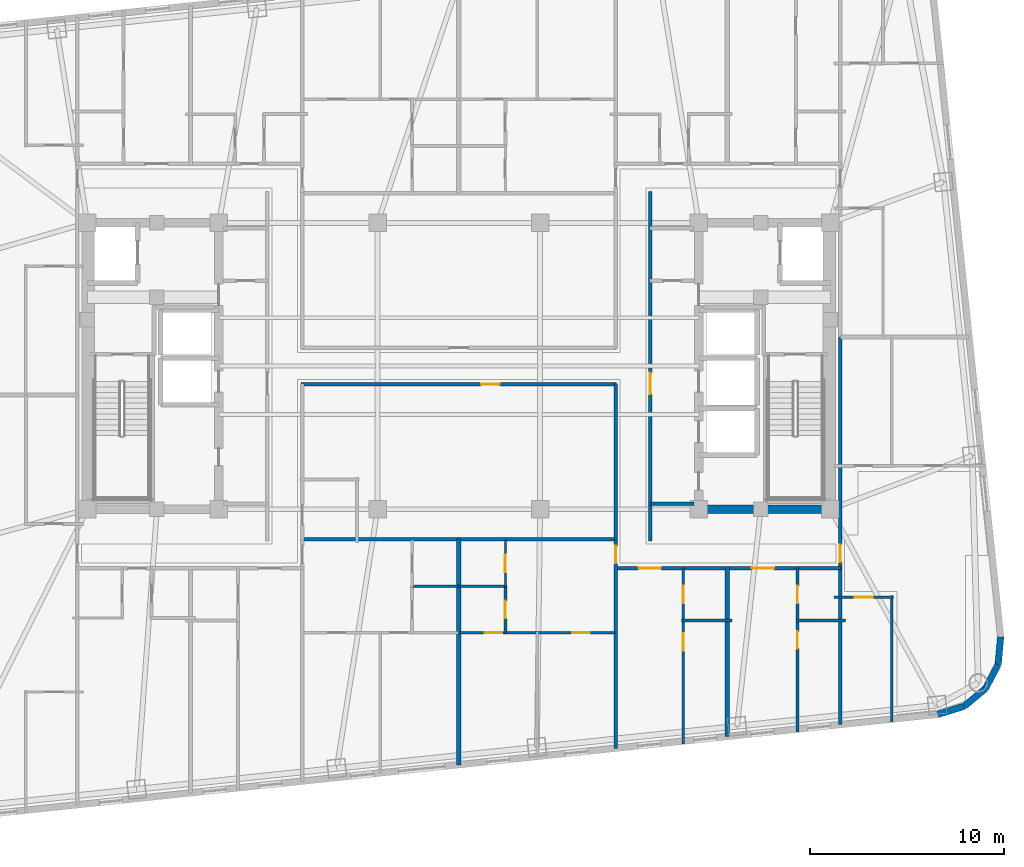
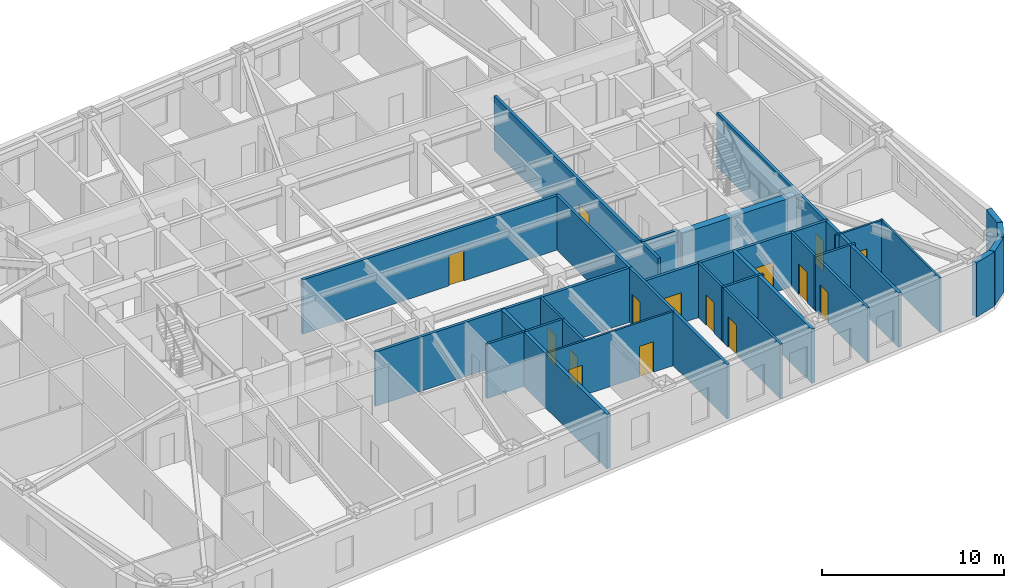
# One storey, part 5 of 12: 28 walls, 15 doors, 15 openings.
"""IFC4 building model written with IfcOpenShell, lengths in metres."""

from ifc_helpers import new_model, si_unit, direction, frame, frame_2d, origin, place, context, subcontext, project, spatial, rectangle, extrude, material, layer, layer_set, type_object, element, fill, save


model = new_model("IFC4")

# Units and contexts
model_context = context("Model", 3, precision=1e-05, world=origin(), true_north=direction((0.0, 1.0)))
body_context = subcontext(model_context, "Body", "Model", "MODEL_VIEW")
ifc_project = project(units=[si_unit("LENGTHUNIT", "METRE"), si_unit("AREAUNIT", "SQUARE_METRE"), si_unit("VOLUMEUNIT", "CUBIC_METRE"), si_unit("PLANEANGLEUNIT", "RADIAN"), si_unit("MASSUNIT", "GRAM", prefix="KILO")], contexts=[model_context])

# Site, building, storey
site_placement = place(None, origin())
site = spatial("IfcSite", under=ifc_project, at=site_placement, CompositionType="ELEMENT")
building_placement = place(site_placement, origin())
building = spatial("IfcBuilding", under=site, at=building_placement, Name="Voryun Gate Residences", CompositionType="ELEMENT")
storey_placement = place(building_placement, frame((0.0, 0.0, 159.89990234375)))
storey = spatial("IfcBuildingStorey", under=building, at=storey_placement, Name="L39", CompositionType="ELEMENT", Elevation=159.89990234375)

# Walls
ifc_material_1 = material(Name="Concrete C50/60", Category="concrete")
ifc_layer_1 = layer(ifc_material_1, 0.449951171875, Name="CW_CORE_450")
ifc_layer_set_1 = layer_set([ifc_layer_1], Name="Concrete C50/60")
wall_type_1 = type_object("IfcWallType", Name="CW_CORE_450", PredefinedType="SHEAR", material=ifc_layer_set_1)
wall_1_placement = place(storey_placement, frame((12.175048828125, -7.39990234375, 0.0), z_axis=(0.0, 0.0, 1.0), x_axis=(1.0, 0.0, 0.0)))
element("IfcWall", 1, at=wall_1_placement, inside=storey, type_object=wall_type_1, Name="L39 Core shear wall CW-L39-ES", PredefinedType="SHEAR", context=body_context, shape_type="SweptSolid", body=[
    extrude(rectangle(XDim=7.25, YDim=0.449951171875, at=frame_2d((3.625, 0.0))), origin(), (0.0, 0.0, 1.0), 3.650146484375),
])
ifc_material_2 = material(Name="Gypsum acoustic fireboard")
ifc_layer_2 = layer(ifc_material_2, 0.179931640625, Name="W_CORR_RATED_180")
ifc_layer_set_2 = layer_set([ifc_layer_2], Name="Gypsum acoustic fireboard")
wall_type_2 = type_object("IfcWallType", Name="W_CORR_RATED_180", PredefinedType="PARTITIONING", material=ifc_layer_set_2)
wall_2_placement = place(storey_placement, frame((9.8798828125, -7.1201171875, 0.0), z_axis=(0.0, 0.0, 1.0), x_axis=(1.0, 0.0, 0.0)))
element("IfcWall", 2, at=wall_2_placement, inside=storey, type_object=wall_type_2, Name="Partition wall WP-L39-PLBS-E", PredefinedType="PARTITIONING", context=body_context, shape_type="SweptSolid", body=[
    extrude(rectangle(XDim=2.27001953125, YDim=0.179931640625, at=frame_2d((1.135009765625, 0.0))), origin(), (0.0, 0.0, 1.0), 3.650146484375),
])

# Wall, opening, door
wall_3_placement = place(storey_placement, frame((9.89990234375, -9.030029296875, 0.0), z_axis=(0.0, 0.0, 1.0), x_axis=(0.0, 1.0, 0.0)))
wall_3 = element("IfcWall", 3, at=wall_3_placement, inside=storey, type_object=wall_type_2, Name="Partition wall WP-L39-PLBE-FULL", PredefinedType="PARTITIONING", context=body_context, shape_type="SweptSolid", body=[
    extrude(rectangle(XDim=18.06005859375, YDim=0.179931640625, at=frame_2d((9.030029296875, 0.0))), origin(), (0.0, 0.0, 1.0), 3.650146484375),
])
opening_1_placement = place(wall_3_placement, frame((7.576904296875, 0.0, 0.0)))
opening_1 = element("IfcOpeningElement", 4, at=opening_1_placement, cuts=wall_3, Name="Opening D-FD60-2", PredefinedType="OPENING", context=body_context, shape_type="SweptSolid", body=[
    extrude(rectangle(XDim=1.10009765625, YDim=2.050048828125, at=frame_2d((0.550048828125, 1.02490234375))), frame((0.0, 0.099853515625, 0.0), z_axis=(0.0, -1.0, 0.0), x_axis=(1.0, 0.0, 0.0)), (0.0, 0.0, 1.0), 0.199951171875),
])
ifc_material_3 = material(Name="Painted steel fire door", Category="steel")
door_type_1 = type_object("IfcDoorType", Name="DR_FD60_FFLOB_1100", OperationType="NOTDEFINED", PredefinedType="DOOR", material=ifc_material_3)
door_1_placement = place(opening_1_placement, origin())
door_1 = element("IfcDoor", 5, at=door_1_placement, inside=storey, type_object=door_type_1, Name="Door DR-L39-PLBE-COR", OperationType="SINGLE_SWING_RIGHT", OverallHeight=2.050048828125, OverallWidth=1.10009765625, PredefinedType="DOOR", context=body_context, shape_type="SweptSolid", body=[
    extrude(rectangle(XDim=1.10009765625, YDim=2.050048828125, at=frame_2d((0.550048828125, 1.02490234375))), frame((0.0, 0.02490234375, 0.0), z_axis=(0.0, -1.0, 0.0), x_axis=(1.0, 0.0, 0.0)), (0.0, 0.0, 1.0), 0.050048828125),
])
fill(opening_1, door_1)

# Wall
wall_4_placement = place(storey_placement, frame((-8.14990234375, -8.93994140625, 0.0), z_axis=(0.0, 0.0, 1.0), x_axis=(1.0, 0.0, 0.0)))
element("IfcWall", 6, at=wall_4_placement, inside=storey, type_object=wall_type_2, Name="Partition wall WP-L39-Z2S", PredefinedType="PARTITIONING", context=body_context, shape_type="SweptSolid", body=[
    extrude(rectangle(XDim=16.2998046875, YDim=0.179931640625, at=frame_2d((8.14990234375, 0.0))), origin(), (0.0, 0.0, 1.0), 3.650146484375),
])

# Wall, opening, door
wall_5_placement = place(storey_placement, frame((-8.14990234375, -0.93994140625, 0.0), z_axis=(0.0, 0.0, 1.0), x_axis=(1.0, 0.0, 0.0)))
wall_5 = element("IfcWall", 7, at=wall_5_placement, inside=storey, type_object=wall_type_2, Name="Partition wall WP-L39-Z2HS", PredefinedType="PARTITIONING", context=body_context, shape_type="SweptSolid", body=[
    extrude(rectangle(XDim=16.2998046875, YDim=0.179931640625, at=frame_2d((8.14990234375, 0.0))), origin(), (0.0, 0.0, 1.0), 3.650146484375),
])
opening_2_placement = place(wall_5_placement, frame((9.304931640625, 0.0, 0.0)))
opening_2 = element("IfcOpeningElement", 8, at=opening_2_placement, cuts=wall_5, Name="Opening D-INT-1", PredefinedType="OPENING", context=body_context, shape_type="SweptSolid", body=[
    extrude(rectangle(XDim=0.949951171875, YDim=2.050048828125, at=frame_2d((0.47509765625, 1.02490234375))), frame((0.0, 0.099853515625, 0.0), z_axis=(0.0, -1.0, 0.0), x_axis=(1.0, 0.0, 0.0)), (0.0, 0.0, 1.0), 0.199951171875),
])
ifc_material_4 = material(Name="Architectural oak veneer")
door_type_2 = type_object("IfcDoorType", Name="DR_INT_ROOM_950", OperationType="NOTDEFINED", PredefinedType="DOOR", material=ifc_material_4)
door_2_placement = place(opening_2_placement, origin())
door_2 = element("IfcDoor", 9, at=door_2_placement, inside=storey, type_object=door_type_2, Name="Door DR-L39-Z2SH", OperationType="SINGLE_SWING_RIGHT", OverallHeight=2.050048828125, OverallWidth=0.949951171875, PredefinedType="DOOR", context=body_context, shape_type="SweptSolid", body=[
    extrude(rectangle(XDim=0.949951171875, YDim=2.050048828125, at=frame_2d((0.47509765625, 1.02490234375))), frame((0.0, 0.02490234375, 0.0), z_axis=(0.0, -1.0, 0.0), x_axis=(1.0, 0.0, 0.0)), (0.0, 0.0, 1.0), 0.050048828125),
])
fill(opening_2, door_2)

# Wall
wall_6_placement = place(storey_placement, frame((8.10009765625, -8.97998046875, 0.0), z_axis=(0.0, 0.0, 1.0), x_axis=(0.0, 1.0, 0.0)))
element("IfcWall", 10, at=wall_6_placement, inside=storey, type_object=wall_type_2, Name="Partition wall WP-L39-Z2ER2", PredefinedType="PARTITIONING", context=body_context, shape_type="SweptSolid", body=[
    extrude(rectangle(XDim=8.06005859375, YDim=0.179931640625, at=frame_2d((4.030029296875, 0.0))), origin(), (0.0, 0.0, 1.0), 3.650146484375),
])

# Wall, openings, doors
wall_7_placement = place(storey_placement, frame((8.080078125, -10.449951171875, 0.0), z_axis=(0.0, 0.0, 1.0), x_axis=(1.0, 0.0, 0.0)))
wall_7 = element("IfcWall", 11, at=wall_7_placement, inside=storey, type_object=wall_type_2, Name="Partition wall WP-L39-SCORR-E", PredefinedType="PARTITIONING", context=body_context, shape_type="SweptSolid", body=[
    extrude(rectangle(XDim=11.669921875, YDim=0.179931640625, at=frame_2d((5.8349609375, 0.0))), origin(), (0.0, 0.0, 1.0), 3.650146484375),
])
opening_3_placement = place(wall_7_placement, frame((1.212890625, 0.0, 0.0)))
opening_3 = element("IfcOpeningElement", 12, at=opening_3_placement, cuts=wall_7, Name="Opening D-UNIT-1", PredefinedType="OPENING", context=body_context, shape_type="SweptSolid", body=[
    extrude(rectangle(XDim=1.14990234375, YDim=2.050048828125, at=frame_2d((0.574951171875, 1.02490234375))), frame((0.0, 0.099853515625, 0.0), z_axis=(0.0, -1.0, 0.0), x_axis=(1.0, 0.0, 0.0)), (0.0, 0.0, 1.0), 0.199951171875),
])
opening_4_placement = place(wall_7_placement, frame((7.05712890625, 0.0, 0.0)))
opening_4 = element("IfcOpeningElement", 13, at=opening_4_placement, cuts=wall_7, Name="Opening D-UNIT-1", PredefinedType="OPENING", context=body_context, shape_type="SweptSolid", body=[
    extrude(rectangle(XDim=1.14990234375, YDim=2.050048828125, at=frame_2d((0.574951171875, 1.02490234375))), frame((0.0, 0.099853515625, 0.0), z_axis=(0.0, -1.0, 0.0), x_axis=(1.0, 0.0, 0.0)), (0.0, 0.0, 1.0), 0.199951171875),
])
ifc_material_5 = material(Name="Armoured timber-clad fire door", Category="wood")
door_type_3 = type_object("IfcDoorType", Name="DR_UNIT_ENTRY_1150", OperationType="NOTDEFINED", PredefinedType="DOOR", material=ifc_material_5)
door_3_placement = place(opening_3_placement, origin())
door_3 = element("IfcDoor", 14, at=door_3_placement, inside=storey, type_object=door_type_3, Name="Door DR-L39-SENT-4", OperationType="SINGLE_SWING_LEFT", OverallHeight=2.050048828125, OverallWidth=1.14990234375, PredefinedType="DOOR", context=body_context, shape_type="SweptSolid", body=[
    extrude(rectangle(XDim=1.14990234375, YDim=2.050048828125, at=frame_2d((0.574951171875, 1.02490234375))), frame((0.0, 0.02490234375, 0.0), z_axis=(0.0, -1.0, 0.0), x_axis=(1.0, 0.0, 0.0)), (0.0, 0.0, 1.0), 0.050048828125),
])
fill(opening_3, door_3)
door_4_placement = place(opening_4_placement, origin())
door_4 = element("IfcDoor", 15, at=door_4_placement, inside=storey, type_object=door_type_3, Name="Door DR-L39-SENT-5", OperationType="SINGLE_SWING_RIGHT", OverallHeight=2.050048828125, OverallWidth=1.14990234375, PredefinedType="DOOR", context=body_context, shape_type="SweptSolid", body=[
    extrude(rectangle(XDim=1.14990234375, YDim=2.050048828125, at=frame_2d((0.574951171875, 1.02490234375))), frame((0.0, 0.02490234375, 0.0), z_axis=(0.0, -1.0, 0.0), x_axis=(1.0, 0.0, 0.0)), (0.0, 0.0, 1.0), 0.050048828125),
])
fill(opening_4, door_4)

# Wall, opening, door
wall_8_placement = place(storey_placement, frame((8.10009765625, -19.75390625, 0.0), z_axis=(0.0, 0.0, 1.0), x_axis=(0.0, 1.0, 0.0)))
wall_8 = element("IfcWall", 16, at=wall_8_placement, inside=storey, type_object=wall_type_2, Name="Partition wall WP-L39-SZV-2", PredefinedType="PARTITIONING", context=body_context, shape_type="SweptSolid", body=[
    extrude(rectangle(XDim=10.81396484375, YDim=0.179931640625, at=frame_2d((5.406982421875, 0.0))), origin(), (0.0, 0.0, 1.0), 3.650146484375),
])
opening_5_placement = place(wall_8_placement, frame((9.563720703125, 0.0, 0.0)))
opening_5 = element("IfcOpeningElement", 17, at=opening_5_placement, cuts=wall_8, Name="Opening D-INT-2", PredefinedType="OPENING", context=body_context, shape_type="SweptSolid", body=[
    extrude(rectangle(XDim=0.89990234375, YDim=2.050048828125, at=frame_2d((0.449951171875, 1.02490234375))), frame((0.0, 0.099853515625, 0.0), z_axis=(0.0, -1.0, 0.0), x_axis=(1.0, 0.0, 0.0)), (0.0, 0.0, 1.0), 0.199951171875),
])
ifc_material_6 = material(Name="Architectural oak veneer")
door_type_4 = type_object("IfcDoorType", Name="DR_INT_BATH_900", OperationType="NOTDEFINED", PredefinedType="DOOR", material=ifc_material_6)
door_5_placement = place(opening_5_placement, origin())
door_5 = element("IfcDoor", 18, at=door_5_placement, inside=storey, type_object=door_type_4, Name="Door DR-L39-SZENT-2", OperationType="SINGLE_SWING_RIGHT", OverallHeight=2.050048828125, OverallWidth=0.89990234375, PredefinedType="DOOR", context=body_context, shape_type="SweptSolid", body=[
    extrude(rectangle(XDim=0.89990234375, YDim=2.050048828125, at=frame_2d((0.449951171875, 1.02490234375))), frame((0.0, 0.02490234375, 0.0), z_axis=(0.0, -1.0, 0.0), x_axis=(1.0, 0.0, 0.0)), (0.0, 0.0, 1.0), 0.050048828125),
])
fill(opening_5, door_5)

wall_9_placement = place(storey_placement, frame((19.719970703125, -18.532470703125, 0.0), z_axis=(0.0, 0.0, 1.0), x_axis=(0.0, 1.0, 0.0)))
wall_9 = element("IfcWall", 19, at=wall_9_placement, inside=storey, type_object=wall_type_2, Name="Partition wall WP-L39-ECOR1", PredefinedType="PARTITIONING", context=body_context, shape_type="SweptSolid", body=[
    extrude(rectangle(XDim=20.032470703125, YDim=0.179931640625, at=frame_2d((10.01611328125, 0.0))), origin(), (0.0, 0.0, 1.0), 3.650146484375),
])
opening_6_placement = place(wall_9_placement, frame((8.40234375, 0.0, 0.0)))
opening_6 = element("IfcOpeningElement", 20, at=opening_6_placement, cuts=wall_9, Name="Opening D-INT-2", PredefinedType="OPENING", context=body_context, shape_type="SweptSolid", body=[
    extrude(rectangle(XDim=0.89990234375, YDim=2.050048828125, at=frame_2d((0.449951171875, 1.02490234375))), frame((0.0, 0.099853515625, 0.0), z_axis=(0.0, -1.0, 0.0), x_axis=(1.0, 0.0, 0.0)), (0.0, 0.0, 1.0), 0.199951171875),
])
door_6_placement = place(opening_6_placement, origin())
door_6 = element("IfcDoor", 21, at=door_6_placement, inside=storey, type_object=door_type_4, Name="Door DR-L39-EE1", OperationType="SINGLE_SWING_LEFT", OverallHeight=2.050048828125, OverallWidth=0.89990234375, PredefinedType="DOOR", context=body_context, shape_type="SweptSolid", body=[
    extrude(rectangle(XDim=0.89990234375, YDim=2.050048828125, at=frame_2d((0.449951171875, 1.02490234375))), frame((0.0, 0.02490234375, 0.0), z_axis=(0.0, -1.0, 0.0), x_axis=(1.0, 0.0, 0.0)), (0.0, 0.0, 1.0), 0.050048828125),
])
fill(opening_6, door_6)

# Walls
ifc_material_7 = material(Name="Charcoal terracotta masonry", Category="masonry")
ifc_layer_3 = layer(ifc_material_7, 0.340087890625, Name="W_EXT_TERRACOTTA_340")
ifc_layer_set_3 = layer_set([ifc_layer_3], Name="Charcoal terracotta masonry")
wall_type_3 = type_object("IfcWallType", Name="W_EXT_TERRACOTTA_340", PredefinedType="ELEMENTEDWALL", material=ifc_layer_set_3)
wall_10_placement = place(storey_placement, frame((28.001220703125, -13.9951171875, 0.0), z_axis=(0.0, 0.0, 1.0), x_axis=(-0.091534682358, -0.995801888894, 0.0)))
element("IfcWall", 22, at=wall_10_placement, inside=storey, type_object=wall_type_3, Name="Exterior wall WEXT-L39-17", PredefinedType="ELEMENTEDWALL", context=body_context, shape_type="SweptSolid", body=[
    extrude(rectangle(XDim=1.432373046875, YDim=0.340087890625, at=frame_2d((0.71630859375, 0.0))), origin(), (0.0, 0.0, 1.0), 3.650146484375),
])
for number, where, z_axis, x_axis, name in (
    (23, (27.8701171875, -15.42138671875, 0.0), (0.0, 0.0, 1.0), (-0.465682431293, -0.884951904447, 0.0), "Exterior wall WEXT-L39-18"),
    (24, (27.211181640625, -16.673583984375, 0.0), (0.0, 0.0, 1.0), (-0.768758372808, -0.639539337522, 0.0), "Exterior wall WEXT-L39-19"),
):
    element("IfcWall", number, at=place(storey_placement, frame(where, z_axis=z_axis, x_axis=x_axis)), inside=storey, type_object=wall_type_3, Name=name, PredefinedType="ELEMENTEDWALL", context=body_context, shape_type="SweptSolid", body=[
        extrude(rectangle(XDim=1.4150390625, YDim=0.340087890625, at=frame_2d((0.70751953125, 0.0))), origin(), (0.0, 0.0, 1.0), 3.650146484375),
    ])
wall_11_placement = place(storey_placement, frame((26.123291015625, -17.57861328125, 0.0), z_axis=(0.0, 0.0, 1.0), x_axis=(-0.955042500381, -0.296468923271, 0.0)))
element("IfcWall", 25, at=wall_11_placement, inside=storey, type_object=wall_type_3, Name="Exterior wall WEXT-L39-20", PredefinedType="ELEMENTEDWALL", context=body_context, shape_type="SweptSolid", body=[
    extrude(rectangle(XDim=1.43212890625, YDim=0.340087890625, at=frame_2d((0.716064453125, 0.0))), origin(), (0.0, 0.0, 1.0), 3.650146484375),
])
ifc_material_8 = material(Name="Concrete C40/50", Category="concrete")
ifc_layer_4 = layer(ifc_material_8, 0.219970703125, Name="W_PARTY_ACOUSTIC_220")
ifc_layer_set_4 = layer_set([ifc_layer_4], Name="Concrete C40/50")
wall_type_4 = type_object("IfcWallType", Name="W_PARTY_ACOUSTIC_220", PredefinedType="PARTITIONING", material=ifc_layer_set_4)
wall_12_placement = place(storey_placement, frame((13.864990234375, -19.147705078125, 0.0), z_axis=(0.0, 0.0, 1.0), x_axis=(0.0, 1.0, 0.0)))
element("IfcWall", 26, at=wall_12_placement, inside=storey, type_object=wall_type_4, Name="Partition wall WP-L39-SPTY-4", PredefinedType="PARTITIONING", context=body_context, shape_type="SweptSolid", body=[
    extrude(rectangle(XDim=8.777587890625, YDim=0.219970703125, at=frame_2d((4.388671875, 0.0))), origin(), (0.0, 0.0, 1.0), 3.650146484375),
])
wall_13_placement = place(storey_placement, frame((0.0, -20.60498046875, 0.0), z_axis=(0.0, 0.0, 1.0), x_axis=(0.0, 1.0, 0.0)))
element("IfcWall", 27, at=wall_13_placement, inside=storey, type_object=wall_type_4, Name="Partition wall WP-L39-SZMID", PredefinedType="PARTITIONING", context=body_context, shape_type="SweptSolid", body=[
    extrude(rectangle(XDim=11.6650390625, YDim=0.219970703125, at=frame_2d((5.83251953125, 0.0))), origin(), (0.0, 0.0, 1.0), 3.650146484375),
])

# Wall, openings, doors
ifc_material_9 = material(Name="Gypsum acoustic partition")
ifc_layer_5 = layer(ifc_material_9, 0.125, Name="W_UNIT_PART_125")
ifc_layer_set_5 = layer_set([ifc_layer_5], Name="Gypsum acoustic partition")
wall_type_5 = type_object("IfcWallType", Name="W_UNIT_PART_125", PredefinedType="PARTITIONING", material=ifc_layer_set_5)
wall_14_placement = place(storey_placement, frame((0.02001953125, -13.780029296875, 0.0), z_axis=(0.0, 0.0, 1.0), x_axis=(1.0, 0.0, 0.0)))
wall_14 = element("IfcWall", 28, at=wall_14_placement, inside=storey, type_object=wall_type_5, Name="Partition wall WP-L39-SC2-HZ", PredefinedType="PARTITIONING", context=body_context, shape_type="SweptSolid", body=[
    extrude(rectangle(XDim=8.06005859375, YDim=0.125, at=frame_2d((4.030029296875, 0.0))), origin(), (0.0, 0.0, 1.0), 3.650146484375),
])
opening_7_placement = place(wall_14_placement, frame((1.3232421875, 0.0, 0.0)))
opening_7 = element("IfcOpeningElement", 29, at=opening_7_placement, cuts=wall_14, Name="Opening D-INT-2", PredefinedType="OPENING", context=body_context, shape_type="SweptSolid", body=[
    extrude(rectangle(XDim=0.89990234375, YDim=2.050048828125, at=frame_2d((0.449951171875, 1.02490234375))), frame((0.0, 0.072509765625, 0.0), z_axis=(0.0, -1.0, 0.0), x_axis=(1.0, 0.0, 0.0)), (0.0, 0.0, 1.0), 0.14501953125),
])
opening_8_placement = place(wall_14_placement, frame((5.8369140625, 0.0, 0.0)))
opening_8 = element("IfcOpeningElement", 30, at=opening_8_placement, cuts=wall_14, Name="Opening D-INT-2", PredefinedType="OPENING", context=body_context, shape_type="SweptSolid", body=[
    extrude(rectangle(XDim=0.89990234375, YDim=2.050048828125, at=frame_2d((0.449951171875, 1.02490234375))), frame((0.0, 0.072509765625, 0.0), z_axis=(0.0, -1.0, 0.0), x_axis=(1.0, 0.0, 0.0)), (0.0, 0.0, 1.0), 0.14501953125),
])
door_7_placement = place(opening_7_placement, origin())
door_7 = element("IfcDoor", 31, at=door_7_placement, inside=storey, type_object=door_type_4, Name="Door DR-L39-SC2-DMB", OperationType="SINGLE_SWING_LEFT", OverallHeight=2.050048828125, OverallWidth=0.89990234375, PredefinedType="DOOR", context=body_context, shape_type="SweptSolid", body=[
    extrude(rectangle(XDim=0.89990234375, YDim=2.050048828125, at=frame_2d((0.449951171875, 1.02490234375))), frame((0.0, 0.02490234375, 0.0), z_axis=(0.0, -1.0, 0.0), x_axis=(1.0, 0.0, 0.0)), (0.0, 0.0, 1.0), 0.050048828125),
])
fill(opening_7, door_7)
door_8_placement = place(opening_8_placement, origin())
door_8 = element("IfcDoor", 32, at=door_8_placement, inside=storey, type_object=door_type_4, Name="Door DR-L39-SC2-DBD2", OperationType="SINGLE_SWING_RIGHT", OverallHeight=2.050048828125, OverallWidth=0.89990234375, PredefinedType="DOOR", context=body_context, shape_type="SweptSolid", body=[
    extrude(rectangle(XDim=0.89990234375, YDim=2.050048828125, at=frame_2d((0.449951171875, 1.02490234375))), frame((0.0, 0.02490234375, 0.0), z_axis=(0.0, -1.0, 0.0), x_axis=(1.0, 0.0, 0.0)), (0.0, 0.0, 1.0), 0.050048828125),
])
fill(opening_8, door_8)

# Wall, opening, door
wall_15_placement = place(storey_placement, frame((2.409912109375, -11.409912109375, 0.0), z_axis=(0.0, 0.0, 1.0), x_axis=(0.0, 1.0, 0.0)))
wall_15 = element("IfcWall", 33, at=wall_15_placement, inside=storey, type_object=wall_type_5, Name="Partition wall WP-L39-SC2-VK1", PredefinedType="PARTITIONING", context=body_context, shape_type="SweptSolid", body=[
    extrude(rectangle(XDim=2.409912109375, YDim=0.125, at=frame_2d((1.205078125, 0.0))), origin(), (0.0, 0.0, 1.0), 3.650146484375),
])
opening_9_placement = place(wall_15_placement, frame((0.7548828125, 0.0, 0.0)))
opening_9 = element("IfcOpeningElement", 34, at=opening_9_placement, cuts=wall_15, Name="Opening D-INT-2", PredefinedType="OPENING", context=body_context, shape_type="SweptSolid", body=[
    extrude(rectangle(XDim=0.89990234375, YDim=2.050048828125, at=frame_2d((0.449951171875, 1.02490234375))), frame((0.0, 0.072509765625, 0.0), z_axis=(0.0, -1.0, 0.0), x_axis=(1.0, 0.0, 0.0)), (0.0, 0.0, 1.0), 0.14501953125),
])
door_9_placement = place(opening_9_placement, origin())
door_9 = element("IfcDoor", 35, at=door_9_placement, inside=storey, type_object=door_type_4, Name="Door DR-L39-SC2-DK", OperationType="SINGLE_SWING_LEFT", OverallHeight=2.050048828125, OverallWidth=0.89990234375, PredefinedType="DOOR", context=body_context, shape_type="SweptSolid", body=[
    extrude(rectangle(XDim=0.89990234375, YDim=2.050048828125, at=frame_2d((0.449951171875, 1.02490234375))), frame((0.0, 0.02490234375, 0.0), z_axis=(0.0, -1.0, 0.0), x_axis=(1.0, 0.0, 0.0)), (0.0, 0.0, 1.0), 0.050048828125),
])
fill(opening_9, door_9)

wall_16_placement = place(storey_placement, frame((19.39990234375, -11.93896484375, 0.0), z_axis=(0.0, 0.0, 1.0), x_axis=(1.0, 0.0, 0.0)))
wall_16 = element("IfcWall", 36, at=wall_16_placement, inside=storey, type_object=wall_type_5, Name="Partition wall WP-L39-E1-IKA", PredefinedType="PARTITIONING", context=body_context, shape_type="SweptSolid", body=[
    extrude(rectangle(XDim=3.050048828125, YDim=0.125, at=frame_2d((1.52490234375, 0.0))), origin(), (0.0, 0.0, 1.0), 3.650146484375),
])
opening_10_placement = place(wall_16_placement, frame((1.050048828125, 0.0, 0.0)))
opening_10 = element("IfcOpeningElement", 37, at=opening_10_placement, cuts=wall_16, Name="Opening D-INT-1", PredefinedType="OPENING", context=body_context, shape_type="SweptSolid", body=[
    extrude(rectangle(XDim=0.949951171875, YDim=2.050048828125, at=frame_2d((0.47509765625, 1.02490234375))), frame((0.0, 0.072509765625, 0.0), z_axis=(0.0, -1.0, 0.0), x_axis=(1.0, 0.0, 0.0)), (0.0, 0.0, 1.0), 0.14501953125),
])
door_10_placement = place(opening_10_placement, origin())
door_10 = element("IfcDoor", 38, at=door_10_placement, inside=storey, type_object=door_type_2, Name="Door DR-L39-E1-DK", OperationType="SINGLE_SWING_LEFT", OverallHeight=2.050048828125, OverallWidth=0.949951171875, PredefinedType="DOOR", context=body_context, shape_type="SweptSolid", body=[
    extrude(rectangle(XDim=0.949951171875, YDim=2.050048828125, at=frame_2d((0.47509765625, 1.02490234375))), frame((0.0, 0.02490234375, 0.0), z_axis=(0.0, -1.0, 0.0), x_axis=(1.0, 0.0, 0.0)), (0.0, 0.0, 1.0), 0.050048828125),
])
fill(opening_10, door_10)

# Walls
wall_17_placement = place(storey_placement, frame((22.3701171875, -18.40478515625, 0.0), z_axis=(0.0, 0.0, 1.0), x_axis=(0.0, 1.0, 0.0)))
element("IfcWall", 39, at=wall_17_placement, inside=storey, type_object=wall_type_5, Name="Partition wall WP-L39-E1-VTA", PredefinedType="PARTITIONING", context=body_context, shape_type="SweptSolid", body=[
    extrude(rectangle(XDim=6.5458984375, YDim=0.125, at=frame_2d((3.27294921875, 0.0))), origin(), (0.0, 0.0, 1.0), 3.650146484375),
])
ifc_material_10 = material(Name="Gypsum moisture-resistant partition")
ifc_layer_6 = layer(ifc_material_10, 0.14990234375, Name="W_WET_PLUMB_150")
ifc_layer_set_6 = layer_set([ifc_layer_6], Name="Gypsum moisture-resistant partition")
wall_type_6 = type_object("IfcWallType", Name="W_WET_PLUMB_150", PredefinedType="PLUMBINGWALL", material=ifc_layer_set_6)
wall_18_placement = place(storey_placement, frame((11.51611328125, -13.14990234375, 0.0), z_axis=(0.0, 0.0, 1.0), x_axis=(1.0, 0.0, 0.0)))
element("IfcWall", 40, at=wall_18_placement, inside=storey, type_object=wall_type_6, Name="Partition wall WP-L39-S4-SKB", PredefinedType="PLUMBINGWALL", context=body_context, shape_type="SweptSolid", body=[
    extrude(rectangle(XDim=2.60888671875, YDim=0.14990234375, at=frame_2d((1.304443359375, 0.0))), origin(), (0.0, 0.0, 1.0), 3.650146484375),
])

# Wall, opening, door
wall_19_placement = place(storey_placement, frame((11.595947265625, -19.537109375, 0.0), z_axis=(0.0, 0.0, 1.0), x_axis=(0.0, 1.0, 0.0)))
wall_19 = element("IfcWall", 41, at=wall_19_placement, inside=storey, type_object=wall_type_6, Name="Partition wall WP-L39-S4-SVT1", PredefinedType="PLUMBINGWALL", context=body_context, shape_type="SweptSolid", body=[
    extrude(rectangle(XDim=6.427001953125, YDim=0.14990234375, at=frame_2d((3.21337890625, 0.0))), origin(), (0.0, 0.0, 1.0), 3.650146484375),
])
opening_11_placement = place(wall_19_placement, frame((4.8203125, 0.0, 0.0)))
opening_11 = element("IfcOpeningElement", 42, at=opening_11_placement, cuts=wall_19, Name="Opening D-INT-2", PredefinedType="OPENING", context=body_context, shape_type="SweptSolid", body=[
    extrude(rectangle(XDim=0.89990234375, YDim=2.050048828125, at=frame_2d((0.449951171875, 1.02490234375))), frame((0.0, 0.0849609375, 0.0), z_axis=(0.0, -1.0, 0.0), x_axis=(1.0, 0.0, 0.0)), (0.0, 0.0, 1.0), 0.169921875),
])
door_11_placement = place(opening_11_placement, origin())
door_11 = element("IfcDoor", 43, at=door_11_placement, inside=storey, type_object=door_type_4, Name="Door DR-L39-S4-DK", OperationType="SINGLE_SWING_LEFT", OverallHeight=2.050048828125, OverallWidth=0.89990234375, PredefinedType="DOOR", context=body_context, shape_type="SweptSolid", body=[
    extrude(rectangle(XDim=0.89990234375, YDim=2.050048828125, at=frame_2d((0.449951171875, 1.02490234375))), frame((0.0, 0.02490234375, 0.0), z_axis=(0.0, -1.0, 0.0), x_axis=(1.0, 0.0, 0.0)), (0.0, 0.0, 1.0), 0.050048828125),
])
fill(opening_11, door_11)

wall_20_placement = place(storey_placement, frame((11.595947265625, -13.18994140625, 0.0), z_axis=(0.0, 0.0, 1.0), x_axis=(0.0, 1.0, 0.0)))
wall_20 = element("IfcWall", 44, at=wall_20_placement, inside=storey, type_object=wall_type_6, Name="Partition wall WP-L39-S4-SVT2", PredefinedType="PLUMBINGWALL", context=body_context, shape_type="SweptSolid", body=[
    extrude(rectangle(XDim=2.760009765625, YDim=0.14990234375, at=frame_2d((1.3798828125, 0.0))), origin(), (0.0, 0.0, 1.0), 3.650146484375),
])
opening_12_placement = place(wall_20_placement, frame((0.929931640625, 0.0, 0.0)))
opening_12 = element("IfcOpeningElement", 45, at=opening_12_placement, cuts=wall_20, Name="Opening D-INT-2", PredefinedType="OPENING", context=body_context, shape_type="SweptSolid", body=[
    extrude(rectangle(XDim=0.89990234375, YDim=2.050048828125, at=frame_2d((0.449951171875, 1.02490234375))), frame((0.0, 0.0849609375, 0.0), z_axis=(0.0, -1.0, 0.0), x_axis=(1.0, 0.0, 0.0)), (0.0, 0.0, 1.0), 0.169921875),
])
door_12_placement = place(opening_12_placement, origin())
door_12 = element("IfcDoor", 46, at=door_12_placement, inside=storey, type_object=door_type_4, Name="Door DR-L39-S4-DB", OperationType="SINGLE_SWING_RIGHT", OverallHeight=2.050048828125, OverallWidth=0.89990234375, PredefinedType="DOOR", context=body_context, shape_type="SweptSolid", body=[
    extrude(rectangle(XDim=0.89990234375, YDim=2.050048828125, at=frame_2d((0.449951171875, 1.02490234375))), frame((0.0, 0.02490234375, 0.0), z_axis=(0.0, -1.0, 0.0), x_axis=(1.0, 0.0, 0.0)), (0.0, 0.0, 1.0), 0.050048828125),
])
fill(opening_12, door_12)

# Wall
wall_21_placement = place(storey_placement, frame((17.419921875, -13.14990234375, 0.0), z_axis=(0.0, 0.0, 1.0), x_axis=(1.0, 0.0, 0.0)))
element("IfcWall", 47, at=wall_21_placement, inside=storey, type_object=wall_type_6, Name="Partition wall WP-L39-S5-SKB", PredefinedType="PLUMBINGWALL", context=body_context, shape_type="SweptSolid", body=[
    extrude(rectangle(XDim=2.550048828125, YDim=0.14990234375, at=frame_2d((1.27490234375, 0.0))), origin(), (0.0, 0.0, 1.0), 3.650146484375),
])

# Wall, opening, door
wall_22_placement = place(storey_placement, frame((17.5, -18.91650390625, 0.0), z_axis=(0.0, 0.0, 1.0), x_axis=(0.0, 1.0, 0.0)))
wall_22 = element("IfcWall", 48, at=wall_22_placement, inside=storey, type_object=wall_type_6, Name="Partition wall WP-L39-S5-SVT1", PredefinedType="PLUMBINGWALL", context=body_context, shape_type="SweptSolid", body=[
    extrude(rectangle(XDim=5.806396484375, YDim=0.14990234375, at=frame_2d((2.9033203125, 0.0))), origin(), (0.0, 0.0, 1.0), 3.650146484375),
])
opening_13_placement = place(wall_22_placement, frame((4.311279296875, 0.0, 0.0)))
opening_13 = element("IfcOpeningElement", 49, at=opening_13_placement, cuts=wall_22, Name="Opening D-INT-2", PredefinedType="OPENING", context=body_context, shape_type="SweptSolid", body=[
    extrude(rectangle(XDim=0.89990234375, YDim=2.050048828125, at=frame_2d((0.449951171875, 1.02490234375))), frame((0.0, 0.0849609375, 0.0), z_axis=(0.0, -1.0, 0.0), x_axis=(1.0, 0.0, 0.0)), (0.0, 0.0, 1.0), 0.169921875),
])
door_13_placement = place(opening_13_placement, origin())
door_13 = element("IfcDoor", 50, at=door_13_placement, inside=storey, type_object=door_type_4, Name="Door DR-L39-S5-DK", OperationType="SINGLE_SWING_LEFT", OverallHeight=2.050048828125, OverallWidth=0.89990234375, PredefinedType="DOOR", context=body_context, shape_type="SweptSolid", body=[
    extrude(rectangle(XDim=0.89990234375, YDim=2.050048828125, at=frame_2d((0.449951171875, 1.02490234375))), frame((0.0, 0.02490234375, 0.0), z_axis=(0.0, -1.0, 0.0), x_axis=(1.0, 0.0, 0.0)), (0.0, 0.0, 1.0), 0.050048828125),
])
fill(opening_13, door_13)

wall_23_placement = place(storey_placement, frame((17.5, -13.18994140625, 0.0), z_axis=(0.0, 0.0, 1.0), x_axis=(0.0, 1.0, 0.0)))
wall_23 = element("IfcWall", 51, at=wall_23_placement, inside=storey, type_object=wall_type_6, Name="Partition wall WP-L39-S5-SVT2", PredefinedType="PLUMBINGWALL", context=body_context, shape_type="SweptSolid", body=[
    extrude(rectangle(XDim=2.760009765625, YDim=0.14990234375, at=frame_2d((1.3798828125, 0.0))), origin(), (0.0, 0.0, 1.0), 3.650146484375),
])
opening_14_placement = place(wall_23_placement, frame((0.929931640625, 0.0, 0.0)))
opening_14 = element("IfcOpeningElement", 52, at=opening_14_placement, cuts=wall_23, Name="Opening D-INT-2", PredefinedType="OPENING", context=body_context, shape_type="SweptSolid", body=[
    extrude(rectangle(XDim=0.89990234375, YDim=2.050048828125, at=frame_2d((0.449951171875, 1.02490234375))), frame((0.0, 0.0849609375, 0.0), z_axis=(0.0, -1.0, 0.0), x_axis=(1.0, 0.0, 0.0)), (0.0, 0.0, 1.0), 0.169921875),
])
door_14_placement = place(opening_14_placement, origin())
door_14 = element("IfcDoor", 53, at=door_14_placement, inside=storey, type_object=door_type_4, Name="Door DR-L39-S5-DB", OperationType="SINGLE_SWING_RIGHT", OverallHeight=2.050048828125, OverallWidth=0.89990234375, PredefinedType="DOOR", context=body_context, shape_type="SweptSolid", body=[
    extrude(rectangle(XDim=0.89990234375, YDim=2.050048828125, at=frame_2d((0.449951171875, 1.02490234375))), frame((0.0, 0.02490234375, 0.0), z_axis=(0.0, -1.0, 0.0), x_axis=(1.0, 0.0, 0.0)), (0.0, 0.0, 1.0), 0.050048828125),
])
fill(opening_14, door_14)

# Wall
wall_24_placement = place(storey_placement, frame((-2.449951171875, -11.3798828125, 0.0), z_axis=(0.0, 0.0, 1.0), x_axis=(1.0, 0.0, 0.0)))
element("IfcWall", 54, at=wall_24_placement, inside=storey, type_object=wall_type_6, Name="Partition wall WP-L39-SC1-HKB", PredefinedType="PLUMBINGWALL", context=body_context, shape_type="SweptSolid", body=[
    extrude(rectangle(XDim=2.429931640625, YDim=0.14990234375, at=frame_2d((1.21484375, 0.0))), origin(), (0.0, 0.0, 1.0), 3.650146484375),
])

# Wall, opening, door
wall_25_placement = place(storey_placement, frame((2.409912109375, -13.820068359375, 0.0), z_axis=(0.0, 0.0, 1.0), x_axis=(0.0, 1.0, 0.0)))
wall_25 = element("IfcWall", 55, at=wall_25_placement, inside=storey, type_object=wall_type_6, Name="Partition wall WP-L39-SC2-VK2", PredefinedType="PLUMBINGWALL", context=body_context, shape_type="SweptSolid", body=[
    extrude(rectangle(XDim=2.469970703125, YDim=0.14990234375, at=frame_2d((1.23486328125, 0.0))), origin(), (0.0, 0.0, 1.0), 3.650146484375),
])
opening_15_placement = place(wall_25_placement, frame((0.784912109375, 0.0, 0.0)))
opening_15 = element("IfcOpeningElement", 56, at=opening_15_placement, cuts=wall_25, Name="Opening D-INT-2", PredefinedType="OPENING", context=body_context, shape_type="SweptSolid", body=[
    extrude(rectangle(XDim=0.89990234375, YDim=2.050048828125, at=frame_2d((0.449951171875, 1.02490234375))), frame((0.0, 0.0849609375, 0.0), z_axis=(0.0, -1.0, 0.0), x_axis=(1.0, 0.0, 0.0)), (0.0, 0.0, 1.0), 0.169921875),
])
door_15_placement = place(opening_15_placement, origin())
door_15 = element("IfcDoor", 57, at=door_15_placement, inside=storey, type_object=door_type_4, Name="Door DR-L39-SC2-DB", OperationType="SINGLE_SWING_RIGHT", OverallHeight=2.050048828125, OverallWidth=0.89990234375, PredefinedType="DOOR", context=body_context, shape_type="SweptSolid", body=[
    extrude(rectangle(XDim=0.89990234375, YDim=2.050048828125, at=frame_2d((0.449951171875, 1.02490234375))), frame((0.0, 0.02490234375, 0.0), z_axis=(0.0, -1.0, 0.0), x_axis=(1.0, 0.0, 0.0)), (0.0, 0.0, 1.0), 0.050048828125),
])
fill(opening_15, door_15)

# Wall
wall_26_placement = place(storey_placement, frame((0.02001953125, -11.3798828125, 0.0), z_axis=(0.0, 0.0, 1.0), x_axis=(1.0, 0.0, 0.0)))
element("IfcWall", 58, at=wall_26_placement, inside=storey, type_object=wall_type_6, Name="Partition wall WP-L39-SC2-HKB", PredefinedType="PLUMBINGWALL", context=body_context, shape_type="SweptSolid", body=[
    extrude(rectangle(XDim=2.429931640625, YDim=0.14990234375, at=frame_2d((1.21484375, 0.0))), origin(), (0.0, 0.0, 1.0), 3.650146484375),
])

save(model, "model.ifc")
